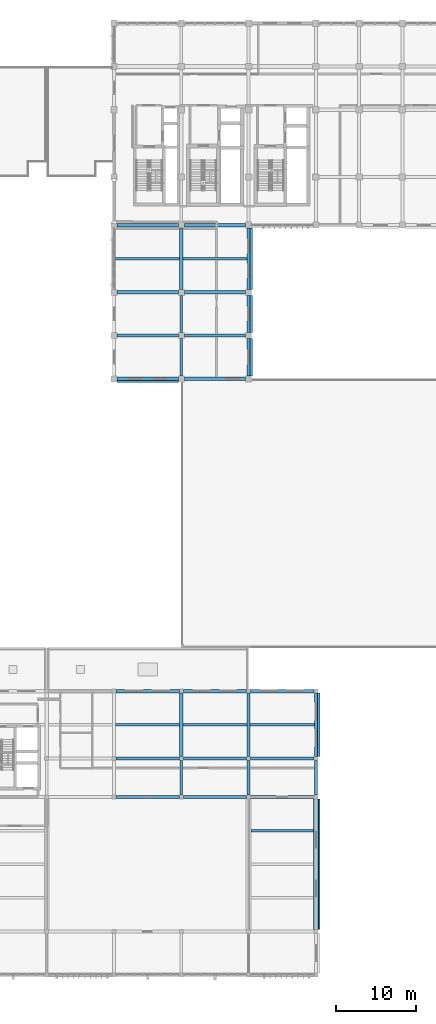
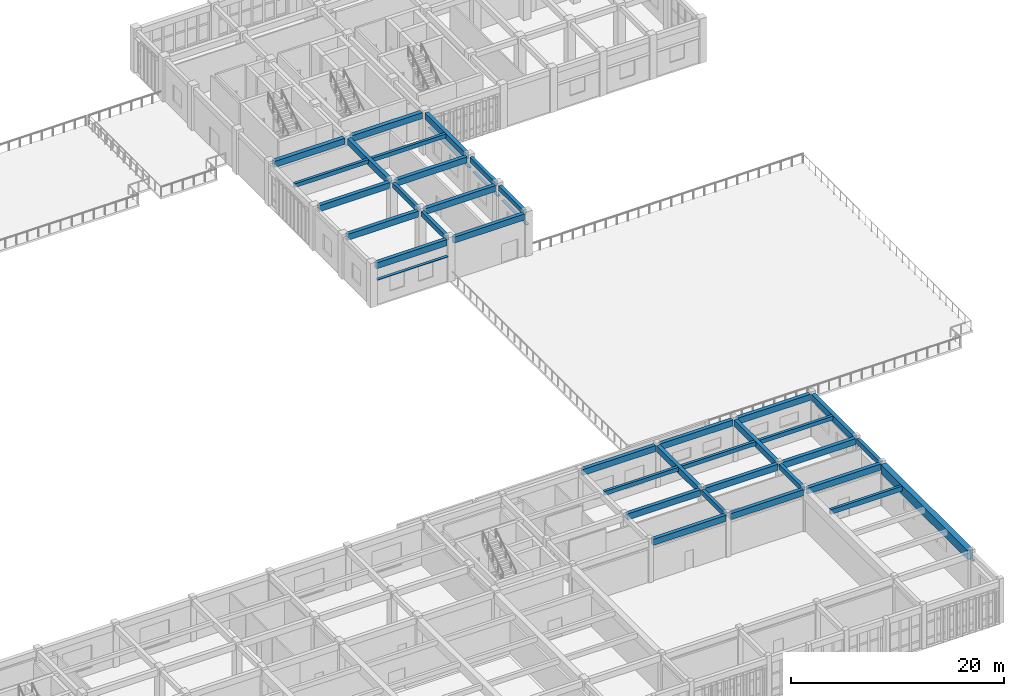
# One storey, part 47 of 93: 36 beams, 6 members.
"""IFC4 building model written with IfcOpenShell, lengths in metres."""

from ifc_helpers import new_model, si_unit, direction, frame, origin, origin_2d, place, context, subcontext, project, spatial, rectangle, hollow_rectangle, extrude, material, material_profile, profile_set, type_object, element, save


model = new_model("IFC4")

# Units and contexts
model_context = context("Model", 3, precision=1e-05, world=origin(), true_north=direction((0.0, 1.0)))
body_context = subcontext(model_context, "Body", "Model", "MODEL_VIEW")
ifc_project = project(units=[si_unit("LENGTHUNIT", "METRE"), si_unit("AREAUNIT", "SQUARE_METRE"), si_unit("VOLUMEUNIT", "CUBIC_METRE"), si_unit("PLANEANGLEUNIT", "RADIAN"), si_unit("MASSUNIT", "GRAM", prefix="KILO")], contexts=[model_context])

# Site, building, storey
site_placement = place(None, origin())
site = spatial("IfcSite", under=ifc_project, at=site_placement, CompositionType="ELEMENT")
building_placement = place(site_placement, origin())
building = spatial("IfcBuilding", under=site, at=building_placement, Name="Krzemoval Escarpment Law Courts", CompositionType="ELEMENT")
storey_placement = place(building_placement, frame((0.0, 0.0, 10.199951171875)))
storey = spatial("IfcBuildingStorey", under=building, at=storey_placement, Name="L02", CompositionType="ELEMENT", Elevation=10.199951171875)

# Beams
ifc_material_1 = material(Name="Concrete C50/60", Category="concrete")
ifc_material_profile_1 = material_profile(ifc_material_1, rectangle(XDim=0.60009765625, YDim=1.050048828125, at=origin_2d()), Name="PTG 600x1050")
ifc_profile_set_1 = profile_set([ifc_material_profile_1], Name="Concrete C50/60")
beam_type_1 = type_object("IfcBeamType", Name="BM-PTG-600x1050", PredefinedType="BEAM", material=ifc_profile_set_1)
beam_1_placement = place(storey_placement, frame((151.199951171875, 5.64990234375, 4.295166015625), z_axis=(0.0, 1.0, 0.0), x_axis=(-1.0, 0.0, 0.0)))
element("IfcBeam", 1, at=beam_1_placement, inside=storey, type_object=beam_type_1, Name="Beam FG-L02-1988", PredefinedType="BEAM", context=body_context, shape_type="SweptSolid", body=[
    extrude(rectangle(XDim=0.60009765625, YDim=1.050048828125, at=origin_2d()), origin(), (0.0, 0.0, 1.0), 16.300048828125),
])
ifc_material_2 = material(Name="Concrete C40/50", Category="concrete")
ifc_material_profile_2 = material_profile(ifc_material_2, rectangle(XDim=0.35009765625, YDim=0.550048828125, at=origin_2d()), Name="RCB 350x550")
ifc_profile_set_2 = profile_set([ifc_material_profile_2], Name="Concrete C40/50")
beam_type_2 = type_object("IfcBeamType", Name="BM-RC-350x550", PredefinedType="BEAM", material=ifc_profile_set_2)
beam_2_placement = place(storey_placement, frame((134.39990234375, 22.449951171875, 4.545166015625), z_axis=(0.0, 1.0, 0.0), x_axis=(-1.0, 0.0, 0.0)))
element("IfcBeam", 2, at=beam_2_placement, inside=storey, type_object=beam_type_2, Name="Beam FG-L02-1967", PredefinedType="BEAM", context=body_context, shape_type="SweptSolid", body=[
    extrude(rectangle(XDim=0.35009765625, YDim=0.550048828125, at=origin_2d()), origin(), (0.0, 0.0, 1.0), 4.300048828125),
])
beam_3_placement = place(storey_placement, frame((134.39990234375, 74.77490234375, 4.545166015625), z_axis=(0.0, 1.0, 0.0), x_axis=(-1.0, 0.0, 0.0)))
element("IfcBeam", 3, at=beam_3_placement, inside=storey, type_object=beam_type_2, Name="Beam FG-L02-1969", PredefinedType="BEAM", context=body_context, shape_type="SweptSolid", body=[
    extrude(rectangle(XDim=0.35009765625, YDim=0.550048828125, at=origin_2d()), origin(), (0.0, 0.0, 1.0), 4.650146484375),
])
beam_4_placement = place(storey_placement, frame((134.39990234375, 80.175048828125, 4.545166015625), z_axis=(0.0, 1.0, 0.0), x_axis=(-1.0, 0.0, 0.0)))
element("IfcBeam", 4, at=beam_4_placement, inside=storey, type_object=beam_type_2, Name="Beam FG-L02-1970", PredefinedType="BEAM", context=body_context, shape_type="SweptSolid", body=[
    extrude(rectangle(XDim=0.35009765625, YDim=0.550048828125, at=origin_2d()), origin(), (0.0, 0.0, 1.0), 4.64990234375),
])
beam_5_placement = place(storey_placement, frame((142.800048828125, 22.449951171875, 4.545166015625), z_axis=(0.0, 1.0, 0.0), x_axis=(-1.0, 0.0, 0.0)))
element("IfcBeam", 5, at=beam_5_placement, inside=storey, type_object=beam_type_2, Name="Beam FG-L02-1978", PredefinedType="BEAM", context=body_context, shape_type="SweptSolid", body=[
    extrude(rectangle(XDim=0.35009765625, YDim=0.550048828125, at=origin_2d()), origin(), (0.0, 0.0, 1.0), 4.300048828125),
])
beam_6_placement = place(storey_placement, frame((142.800048828125, 74.77490234375, 4.545166015625), z_axis=(0.0, 1.0, 0.0), x_axis=(-1.0, 0.0, 0.0)))
element("IfcBeam", 6, at=beam_6_placement, inside=storey, type_object=beam_type_2, Name="Beam FG-L02-1980", PredefinedType="BEAM", context=body_context, shape_type="SweptSolid", body=[
    extrude(rectangle(XDim=0.35009765625, YDim=0.550048828125, at=origin_2d()), origin(), (0.0, 0.0, 1.0), 4.650146484375),
])
beam_7_placement = place(storey_placement, frame((142.800048828125, 80.175048828125, 4.545166015625), z_axis=(0.0, 1.0, 0.0), x_axis=(-1.0, 0.0, 0.0)))
element("IfcBeam", 7, at=beam_7_placement, inside=storey, type_object=beam_type_2, Name="Beam FG-L02-1981", PredefinedType="BEAM", context=body_context, shape_type="SweptSolid", body=[
    extrude(rectangle(XDim=0.35009765625, YDim=0.550048828125, at=origin_2d()), origin(), (0.0, 0.0, 1.0), 4.64990234375),
])
beam_8_placement = place(storey_placement, frame((151.199951171875, 22.449951171875, 4.545166015625), z_axis=(0.0, 1.0, 0.0), x_axis=(-1.0, 0.0, 0.0)))
element("IfcBeam", 8, at=beam_8_placement, inside=storey, type_object=beam_type_2, Name="Beam FG-L02-1989", PredefinedType="BEAM", context=body_context, shape_type="SweptSolid", body=[
    extrude(rectangle(XDim=0.35009765625, YDim=0.550048828125, at=origin_2d()), origin(), (0.0, 0.0, 1.0), 4.300048828125),
])
ifc_material_3 = material(Name="Concrete C40/50", Category="concrete")
ifc_material_profile_3 = material_profile(ifc_material_3, rectangle(XDim=0.39990234375, YDim=0.699951171875, at=origin_2d()), Name="RCB 400x700")
ifc_profile_set_3 = profile_set([ifc_material_profile_3], Name="Concrete C40/50")
beam_type_3 = type_object("IfcBeamType", Name="BM-RC-400x700", PredefinedType="BEAM", material=ifc_profile_set_3)
beam_9_placement = place(storey_placement, frame((126.25, 22.199951171875, 4.469970703125), z_axis=(1.0, 0.0, 0.0), x_axis=(0.0, 1.0, 0.0)))
element("IfcBeam", 9, at=beam_9_placement, inside=storey, type_object=beam_type_3, Name="Beam FG-L02-1749", PredefinedType="BEAM", context=body_context, shape_type="SweptSolid", body=[
    extrude(rectangle(XDim=0.39990234375, YDim=0.699951171875, at=origin_2d()), origin(), (0.0, 0.0, 1.0), 7.89990234375),
])
beam_10_placement = place(storey_placement, frame((134.64990234375, 22.199951171875, 4.469970703125), z_axis=(1.0, 0.0, 0.0), x_axis=(0.0, 1.0, 0.0)))
element("IfcBeam", 10, at=beam_10_placement, inside=storey, type_object=beam_type_3, Name="Beam FG-L02-1750", PredefinedType="BEAM", context=body_context, shape_type="SweptSolid", body=[
    extrude(rectangle(XDim=0.39990234375, YDim=0.699951171875, at=origin_2d()), origin(), (0.0, 0.0, 1.0), 7.900146484375),
])
for number, where, z_axis, x_axis, name in (
    (11, (143.050048828125, 22.199951171875, 4.469970703125), (1.0, 0.0, 0.0), (0.0, 1.0, 0.0), "Beam FG-L02-1751"),
    (12, (126.25, 27.0, 4.469970703125), (1.0, 0.0, 0.0), (0.0, 1.0, 0.0), "Beam FG-L02-1764"),
):
    element("IfcBeam", number, at=place(storey_placement, frame(where, z_axis=z_axis, x_axis=x_axis)), inside=storey, type_object=beam_type_3, Name=name, PredefinedType="BEAM", context=body_context, shape_type="SweptSolid", body=[
        extrude(rectangle(XDim=0.39990234375, YDim=0.699951171875, at=origin_2d()), origin(), (0.0, 0.0, 1.0), 7.89990234375),
    ])
beam_11_placement = place(storey_placement, frame((134.64990234375, 27.0, 4.469970703125), z_axis=(1.0, 0.0, 0.0), x_axis=(0.0, 1.0, 0.0)))
element("IfcBeam", 13, at=beam_11_placement, inside=storey, type_object=beam_type_3, Name="Beam FG-L02-1765", PredefinedType="BEAM", context=body_context, shape_type="SweptSolid", body=[
    extrude(rectangle(XDim=0.39990234375, YDim=0.699951171875, at=origin_2d()), origin(), (0.0, 0.0, 1.0), 7.900146484375),
])
for number, where, z_axis, x_axis, name in (
    (14, (143.050048828125, 27.0, 4.469970703125), (1.0, 0.0, 0.0), (0.0, 1.0, 0.0), "Beam FG-L02-1766"),
    (15, (126.25, 35.39990234375, 4.469970703125), (1.0, 0.0, 0.0), (0.0, 1.0, 0.0), "Beam FG-L02-1782"),
):
    element("IfcBeam", number, at=place(storey_placement, frame(where, z_axis=z_axis, x_axis=x_axis)), inside=storey, type_object=beam_type_3, Name=name, PredefinedType="BEAM", context=body_context, shape_type="SweptSolid", body=[
        extrude(rectangle(XDim=0.39990234375, YDim=0.699951171875, at=origin_2d()), origin(), (0.0, 0.0, 1.0), 7.89990234375),
    ])
beam_12_placement = place(storey_placement, frame((134.64990234375, 35.39990234375, 4.469970703125), z_axis=(1.0, 0.0, 0.0), x_axis=(0.0, 1.0, 0.0)))
element("IfcBeam", 16, at=beam_12_placement, inside=storey, type_object=beam_type_3, Name="Beam FG-L02-1783", PredefinedType="BEAM", context=body_context, shape_type="SweptSolid", body=[
    extrude(rectangle(XDim=0.39990234375, YDim=0.699951171875, at=origin_2d()), origin(), (0.0, 0.0, 1.0), 7.900146484375),
])
beam_13_placement = place(storey_placement, frame((143.050048828125, 35.39990234375, 4.469970703125), z_axis=(1.0, 0.0, 0.0), x_axis=(0.0, 1.0, 0.0)))
element("IfcBeam", 17, at=beam_13_placement, inside=storey, type_object=beam_type_3, Name="Beam FG-L02-1784", PredefinedType="BEAM", context=body_context, shape_type="SweptSolid", body=[
    extrude(rectangle(XDim=0.39990234375, YDim=0.699951171875, at=origin_2d()), origin(), (0.0, 0.0, 1.0), 7.89990234375),
])
beam_14_placement = place(storey_placement, frame((126.375, 74.39990234375, 4.469970703125), z_axis=(1.0, 0.0, 0.0), x_axis=(0.0, 1.0, 0.0)))
element("IfcBeam", 18, at=beam_14_placement, inside=storey, type_object=beam_type_3, Name="Beam FG-L02-1798", PredefinedType="BEAM", context=body_context, shape_type="SweptSolid", body=[
    extrude(rectangle(XDim=0.39990234375, YDim=0.699951171875, at=origin_2d()), origin(), (0.0, 0.0, 1.0), 7.64990234375),
])
beam_15_placement = place(storey_placement, frame((134.77490234375, 74.39990234375, 4.469970703125), z_axis=(1.0, 0.0, 0.0), x_axis=(0.0, 1.0, 0.0)))
element("IfcBeam", 19, at=beam_15_placement, inside=storey, type_object=beam_type_3, Name="Beam FG-L02-1799", PredefinedType="BEAM", context=body_context, shape_type="SweptSolid", body=[
    extrude(rectangle(XDim=0.39990234375, YDim=0.699951171875, at=origin_2d()), origin(), (0.0, 0.0, 1.0), 7.650146484375),
])
beam_16_placement = place(storey_placement, frame((126.375, 79.800048828125, 4.469970703125), z_axis=(1.0, 0.0, 0.0), x_axis=(0.0, 1.0, 0.0)))
element("IfcBeam", 20, at=beam_16_placement, inside=storey, type_object=beam_type_3, Name="Beam FG-L02-1802", PredefinedType="BEAM", context=body_context, shape_type="SweptSolid", body=[
    extrude(rectangle(XDim=0.39990234375, YDim=0.699951171875, at=origin_2d()), origin(), (0.0, 0.0, 1.0), 7.64990234375),
])
beam_17_placement = place(storey_placement, frame((134.77490234375, 79.800048828125, 4.469970703125), z_axis=(1.0, 0.0, 0.0), x_axis=(0.0, 1.0, 0.0)))
element("IfcBeam", 21, at=beam_17_placement, inside=storey, type_object=beam_type_3, Name="Beam FG-L02-1803", PredefinedType="BEAM", context=body_context, shape_type="SweptSolid", body=[
    extrude(rectangle(XDim=0.39990234375, YDim=0.699951171875, at=origin_2d()), origin(), (0.0, 0.0, 1.0), 7.650146484375),
])
beam_18_placement = place(storey_placement, frame((126.375, 85.199951171875, 4.469970703125), z_axis=(1.0, 0.0, 0.0), x_axis=(0.0, 1.0, 0.0)))
element("IfcBeam", 22, at=beam_18_placement, inside=storey, type_object=beam_type_3, Name="Beam FG-L02-1806", PredefinedType="BEAM", context=body_context, shape_type="SweptSolid", body=[
    extrude(rectangle(XDim=0.39990234375, YDim=0.699951171875, at=origin_2d()), origin(), (0.0, 0.0, 1.0), 7.64990234375),
])
beam_19_placement = place(storey_placement, frame((134.77490234375, 85.199951171875, 4.469970703125), z_axis=(1.0, 0.0, 0.0), x_axis=(0.0, 1.0, 0.0)))
element("IfcBeam", 23, at=beam_19_placement, inside=storey, type_object=beam_type_3, Name="Beam FG-L02-1807", PredefinedType="BEAM", context=body_context, shape_type="SweptSolid", body=[
    extrude(rectangle(XDim=0.39990234375, YDim=0.699951171875, at=origin_2d()), origin(), (0.0, 0.0, 1.0), 7.650146484375),
])
beam_20_placement = place(storey_placement, frame((134.39990234375, 27.25, 4.469970703125), z_axis=(0.0, 1.0, 0.0), x_axis=(-1.0, 0.0, 0.0)))
element("IfcBeam", 24, at=beam_20_placement, inside=storey, type_object=beam_type_3, Name="Beam FG-L02-1968", PredefinedType="BEAM", context=body_context, shape_type="SweptSolid", body=[
    extrude(rectangle(XDim=0.39990234375, YDim=0.699951171875, at=origin_2d()), origin(), (0.0, 0.0, 1.0), 7.89990234375),
])
beam_21_placement = place(storey_placement, frame((134.39990234375, 85.574951171875, 4.469970703125), z_axis=(0.0, 1.0, 0.0), x_axis=(-1.0, 0.0, 0.0)))
element("IfcBeam", 25, at=beam_21_placement, inside=storey, type_object=beam_type_3, Name="Beam FG-L02-1971", PredefinedType="BEAM", context=body_context, shape_type="SweptSolid", body=[
    extrude(rectangle(XDim=0.39990234375, YDim=0.699951171875, at=origin_2d()), origin(), (0.0, 0.0, 1.0), 7.650146484375),
])
beam_22_placement = place(storey_placement, frame((142.800048828125, 27.25, 4.469970703125), z_axis=(0.0, 1.0, 0.0), x_axis=(-1.0, 0.0, 0.0)))
element("IfcBeam", 26, at=beam_22_placement, inside=storey, type_object=beam_type_3, Name="Beam FG-L02-1979", PredefinedType="BEAM", context=body_context, shape_type="SweptSolid", body=[
    extrude(rectangle(XDim=0.39990234375, YDim=0.699951171875, at=origin_2d()), origin(), (0.0, 0.0, 1.0), 7.89990234375),
])
beam_23_placement = place(storey_placement, frame((142.800048828125, 85.574951171875, 4.469970703125), z_axis=(0.0, 1.0, 0.0), x_axis=(-1.0, 0.0, 0.0)))
element("IfcBeam", 27, at=beam_23_placement, inside=storey, type_object=beam_type_3, Name="Beam FG-L02-1982", PredefinedType="BEAM", context=body_context, shape_type="SweptSolid", body=[
    extrude(rectangle(XDim=0.39990234375, YDim=0.699951171875, at=origin_2d()), origin(), (0.0, 0.0, 1.0), 7.650146484375),
])
beam_24_placement = place(storey_placement, frame((151.199951171875, 27.25, 4.469970703125), z_axis=(0.0, 1.0, 0.0), x_axis=(-1.0, 0.0, 0.0)))
element("IfcBeam", 28, at=beam_24_placement, inside=storey, type_object=beam_type_3, Name="Beam FG-L02-1990", PredefinedType="BEAM", context=body_context, shape_type="SweptSolid", body=[
    extrude(rectangle(XDim=0.39990234375, YDim=0.699951171875, at=origin_2d()), origin(), (0.0, 0.0, 1.0), 7.89990234375),
])
ifc_material_4 = material(Name="Concrete C40/50", Category="concrete")
ifc_material_profile_4 = material_profile(ifc_material_4, rectangle(XDim=0.449951171875, YDim=0.699951171875, at=origin_2d()), Name="RCB 450x700")
ifc_profile_set_4 = profile_set([ifc_material_profile_4], Name="Concrete C40/50")
beam_type_4 = type_object("IfcBeamType", Name="BM-RC-450x700", PredefinedType="BEAM", material=ifc_profile_set_4)
beam_25_placement = place(storey_placement, frame((126.375, 93.60009765625, 4.469970703125), z_axis=(1.0, 0.0, 0.0), x_axis=(0.0, 1.0, 0.0)))
element("IfcBeam", 29, at=beam_25_placement, inside=storey, type_object=beam_type_4, Name="Beam FG-L02-1812", PredefinedType="BEAM", context=body_context, shape_type="SweptSolid", body=[
    extrude(rectangle(XDim=0.449951171875, YDim=0.699951171875, at=origin_2d()), origin(), (0.0, 0.0, 1.0), 7.64990234375),
])
beam_26_placement = place(storey_placement, frame((134.77490234375, 93.60009765625, 4.469970703125), z_axis=(1.0, 0.0, 0.0), x_axis=(0.0, 1.0, 0.0)))
element("IfcBeam", 30, at=beam_26_placement, inside=storey, type_object=beam_type_4, Name="Beam FG-L02-1813", PredefinedType="BEAM", context=body_context, shape_type="SweptSolid", body=[
    extrude(rectangle(XDim=0.449951171875, YDim=0.699951171875, at=origin_2d()), origin(), (0.0, 0.0, 1.0), 7.650146484375),
])
ifc_material_5 = material(Name="Concrete C40/50", Category="concrete")
ifc_material_profile_5 = material_profile(ifc_material_5, rectangle(XDim=0.300048828125, YDim=0.449951171875, at=origin_2d()), Name="RCB 300x450")
ifc_profile_set_5 = profile_set([ifc_material_profile_5], Name="Concrete C40/50")
beam_type_5 = type_object("IfcBeamType", Name="JST-RC-300x450", PredefinedType="JOIST", material=ifc_profile_set_5)
for number, where, z_axis, x_axis, name in (
    (31, (126.199951171875, 31.199951171875, 4.594970703125), (1.0, 0.0, 0.0), (0.0, 1.0, 0.0), "Secondary Joist FJ-L02-2068"),
    (32, (126.199951171875, 89.39990234375, 4.594970703125), (1.0, 0.0, 0.0), (0.0, 1.0, 0.0), "Secondary Joist FJ-L02-2069"),
    (33, (134.60009765625, 31.199951171875, 4.594970703125), (1.0, 0.0, 0.0), (0.0, 1.0, 0.0), "Secondary Joist FJ-L02-2070"),
    (34, (134.60009765625, 89.39990234375, 4.594970703125), (1.0, 0.0, 0.0), (0.0, 1.0, 0.0), "Secondary Joist FJ-L02-2071"),
    (35, (143.0, 31.199951171875, 4.594970703125), (1.0, 0.0, 0.0), (0.0, 1.0, 0.0), "Secondary Joist FJ-L02-2075"),
):
    element("IfcBeam", number, at=place(storey_placement, frame(where, z_axis=z_axis, x_axis=x_axis)), inside=storey, type_object=beam_type_5, Name=name, PredefinedType="JOIST", context=body_context, shape_type="SweptSolid", body=[
        extrude(rectangle(XDim=0.300048828125, YDim=0.449951171875, at=origin_2d()), origin(), (0.0, 0.0, 1.0), 8.0),
    ])
ifc_material_6 = material(Name="Concrete C40/50", Category="concrete")
ifc_material_profile_6 = material_profile(ifc_material_6, rectangle(XDim=0.300048828125, YDim=0.550048828125, at=origin_2d()), Name="RCB 300x550")
ifc_profile_set_6 = profile_set([ifc_material_profile_6], Name="Concrete C40/50")
beam_type_6 = type_object("IfcBeamType", Name="JST-RC-300x550", PredefinedType="JOIST", material=ifc_profile_set_6)
beam_27_placement = place(storey_placement, frame((143.10009765625, 18.0, 4.545166015625), z_axis=(1.0, 0.0, 0.0), x_axis=(0.0, 1.0, 0.0)))
element("IfcBeam", 36, at=beam_27_placement, inside=storey, type_object=beam_type_6, Name="Secondary Joist FJ-L02-2074", PredefinedType="JOIST", context=body_context, shape_type="SweptSolid", body=[
    extrude(rectangle(XDim=0.300048828125, YDim=0.550048828125, at=origin_2d()), origin(), (0.0, 0.0, 1.0), 7.7998046875),
])

# Members
ifc_material_7 = material(Name="Anodised Aluminium Alloy 6063-T6", Category="aluminium")
ifc_material_profile_7 = material_profile(ifc_material_7, hollow_rectangle(XDim=0.06005859375, YDim=0.320068359375, WallThickness=0.00390625, at=origin_2d()), Name="ALU LVR 60x320")
ifc_profile_set_7 = profile_set([ifc_material_profile_7], Name="Anodised Aluminium Alloy 6063-T6")
member_type = type_object("IfcMemberType", Name="LVR-ALU-320", PredefinedType="USERDEFINED", material=ifc_profile_set_7)
member_1_placement = place(storey_placement, frame((151.5400390625, 35.14990234375, 3.4599609375), z_axis=(0.0, -1.0, 0.0), x_axis=(0.0, 0.0, 1.0)))
element("IfcMember", 37, at=member_1_placement, inside=storey, type_object=member_type, Name="Window Sunshade Louvre FLV-L02-0529", ObjectType="SUNSHADE_LOUVRE", PredefinedType="USERDEFINED", context=body_context, shape_type="SweptSolid", body=[
    extrude(hollow_rectangle(XDim=0.06005859375, YDim=0.320068359375, WallThickness=0.00390625, at=origin_2d()), origin(), (0.0, 0.0, 1.0), 7.89990234375),
])
member_2_placement = place(storey_placement, frame((151.5400390625, 21.949951171875, 3.4599609375), z_axis=(0.0, -1.0, 0.0), x_axis=(0.0, 0.0, 1.0)))
element("IfcMember", 38, at=member_2_placement, inside=storey, type_object=member_type, Name="Window Sunshade Louvre FLV-L02-0530", ObjectType="SUNSHADE_LOUVRE", PredefinedType="USERDEFINED", context=body_context, shape_type="SweptSolid", body=[
    extrude(hollow_rectangle(XDim=0.06005859375, YDim=0.320068359375, WallThickness=0.00390625, at=origin_2d()), origin(), (0.0, 0.0, 1.0), 16.300048828125),
])
member_3_placement = place(storey_placement, frame((143.10009765625, 93.22509765625, 3.010009765625), z_axis=(0.0, -1.0, 0.0), x_axis=(0.0, 0.0, 1.0)))
element("IfcMember", 39, at=member_3_placement, inside=storey, type_object=member_type, Name="Window Sunshade Louvre FLV-L02-0584", ObjectType="SUNSHADE_LOUVRE", PredefinedType="USERDEFINED", context=body_context, shape_type="SweptSolid", body=[
    extrude(hollow_rectangle(XDim=0.06005859375, YDim=0.320068359375, WallThickness=0.00390625, at=origin_2d()), origin(), (0.0, 0.0, 1.0), 7.650146484375),
])
member_4_placement = place(storey_placement, frame((143.10009765625, 84.824951171875, 3.010009765625), z_axis=(0.0, -1.0, 0.0), x_axis=(0.0, 0.0, 1.0)))
element("IfcMember", 40, at=member_4_placement, inside=storey, type_object=member_type, Name="Window Sunshade Louvre FLV-L02-0585", ObjectType="SUNSHADE_LOUVRE", PredefinedType="USERDEFINED", context=body_context, shape_type="SweptSolid", body=[
    extrude(hollow_rectangle(XDim=0.06005859375, YDim=0.320068359375, WallThickness=0.00390625, at=origin_2d()), origin(), (0.0, 0.0, 1.0), 4.64990234375),
])
member_5_placement = place(storey_placement, frame((143.10009765625, 79.425048828125, 3.010009765625), z_axis=(0.0, -1.0, 0.0), x_axis=(0.0, 0.0, 1.0)))
element("IfcMember", 41, at=member_5_placement, inside=storey, type_object=member_type, Name="Window Sunshade Louvre FLV-L02-0586", ObjectType="SUNSHADE_LOUVRE", PredefinedType="USERDEFINED", context=body_context, shape_type="SweptSolid", body=[
    extrude(hollow_rectangle(XDim=0.06005859375, YDim=0.320068359375, WallThickness=0.00390625, at=origin_2d()), origin(), (0.0, 0.0, 1.0), 4.650146484375),
])
member_6_placement = place(storey_placement, frame((134.02490234375, 74.10009765625, 3.010009765625), z_axis=(-1.0, 0.0, 0.0), x_axis=(0.0, 0.0, 1.0)))
element("IfcMember", 42, at=member_6_placement, inside=storey, type_object=member_type, Name="Window Sunshade Louvre FLV-L02-0587", ObjectType="SUNSHADE_LOUVRE", PredefinedType="USERDEFINED", context=body_context, shape_type="SweptSolid", body=[
    extrude(hollow_rectangle(XDim=0.06005859375, YDim=0.320068359375, WallThickness=0.00390625, at=origin_2d()), origin(), (0.0, 0.0, 1.0), 7.64990234375),
])

save(model, "model.ifc")
